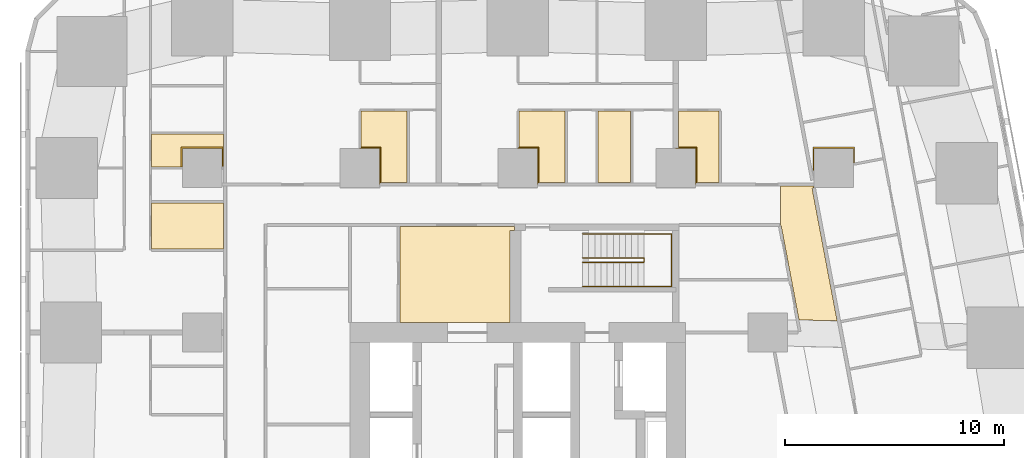
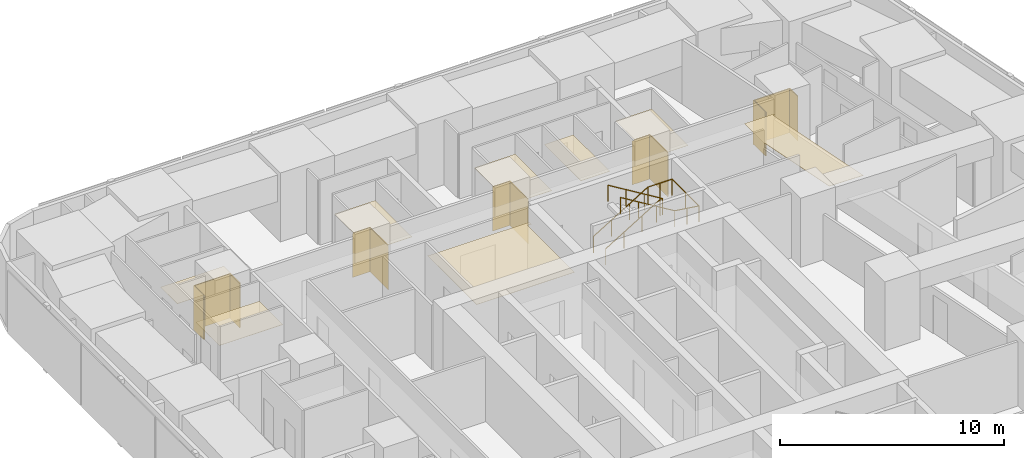
# One storey, part 16 of 16: 13 coverings, 2 railings.
"""IFC4 building model written with IfcOpenShell, lengths in metres."""

import ifcopenshell
import ifcopenshell.guid

model = None  # the IFC model being written
_history = None  # IfcOwnerHistory: only IFC2X3 demands one
_inside = {}  # id of a spatial element -> (the spatial element, [elements in it])
_under = {}  # id of a project, library or spatial element -> (it, [spatial elements below it])
_declared = {}  # id of a project -> (the project, [libraries it declares])
_typed = {}  # id of a type object -> (the type object, [elements of that type])
_made_of = {}  # id of a material, layer set ... -> (it, [elements and type objects made of it])


def new_model(schema):
    """Start an empty IFC model of exactly this schema.

    Asked for "IFC4X3", IfcOpenShell would pick the latest addendum, in which some entities
    have other attributes; the version numbers below select the first issue.
    IFC2X3 requires an IfcOwnerHistory on every rooted entity: one is made here for all.
    """
    global model, _history
    if schema == "IFC4X3":
        model = ifcopenshell.file(schema_version=(4, 3, 0, 0))
    else:
        model = ifcopenshell.file(schema=schema)
    _inside.clear()
    _under.clear()
    _declared.clear()
    _typed.clear()
    _made_of.clear()
    _history = None
    if model.schema == "IFC2X3":
        org = make("IfcOrganization", Name="unknown")
        user = make(
            "IfcPersonAndOrganization",
            ThePerson=make("IfcPerson", FamilyName="unknown"),
            TheOrganization=org,
        )
        app = make(
            "IfcApplication",
            ApplicationDeveloper=org,
            Version="unknown",
            ApplicationFullName="unknown",
            ApplicationIdentifier="unknown",
        )
        _history = make(
            "IfcOwnerHistory",
            OwningUser=user,
            OwningApplication=app,
            ChangeAction="ADDED",
            CreationDate=0,
        )
    return model


def make(cls, **values):
    """One entity of the class cls with the attributes given. An attribute that is None is left unset."""
    return model.create_entity(
        cls, **{name: value for name, value in values.items() if value is not None}
    )


def rooted(cls, **values):
    """An entity with a GlobalId (a new one), such as an element, a storey or a relation."""
    return make(cls, GlobalId=ifcopenshell.guid.new(), OwnerHistory=_history, **values)


def si_unit(unit_type, name, prefix=None):
    """IfcSIUnit, for example si_unit("LENGTHUNIT", "METRE", prefix="MILLI")."""
    return make("IfcSIUnit", UnitType=unit_type, Prefix=prefix, Name=name)


def assignment(units):
    """IfcUnitAssignment: the units of a project."""
    return None if units is None else make("IfcUnitAssignment", Units=units)


def point(xyz):
    """IfcCartesianPoint."""
    return None if xyz is None else make("IfcCartesianPoint", Coordinates=xyz)


def direction(xyz):
    """IfcDirection."""
    return None if xyz is None else make("IfcDirection", DirectionRatios=xyz)


def frame(location, z_axis=None, x_axis=None):
    """IfcAxis2Placement3D, a coordinate frame: its origin and axes. An axis left out is left unset."""
    return make(
        "IfcAxis2Placement3D",
        Location=point(location),
        Axis=direction(z_axis),
        RefDirection=direction(x_axis),
    )


def frame_2d(location, x_axis=None):
    """IfcAxis2Placement2D, a coordinate frame in the plane: its origin and x axis."""
    return make(
        "IfcAxis2Placement2D", Location=point(location), RefDirection=direction(x_axis)
    )


def origin():
    """The frame at (0, 0, 0) with its axes left unset."""
    return frame((0.0, 0.0, 0.0))


def origin_2d():
    """The frame at (0, 0) in the plane with its x axis left unset."""
    return frame_2d((0.0, 0.0))


def place(relative_to, where):
    """IfcLocalPlacement: puts the frame where relative to a parent placement (None: the world)."""
    return make(
        "IfcLocalPlacement", PlacementRelTo=relative_to, RelativePlacement=where
    )


def context(
    kind, dimensions, precision=None, world=None, true_north=None, identifier=None
):
    """IfcGeometricRepresentationContext, for example the 3D "Model" context."""
    return make(
        "IfcGeometricRepresentationContext",
        ContextIdentifier=identifier,
        ContextType=kind,
        CoordinateSpaceDimension=dimensions,
        Precision=precision,
        WorldCoordinateSystem=world,
        TrueNorth=true_north,
    )


def subcontext(parent, identifier, kind, view, scale=None):
    """IfcGeometricRepresentationSubContext, for example "Body" below "Model"."""
    return make(
        "IfcGeometricRepresentationSubContext",
        ContextIdentifier=identifier,
        ContextType=kind,
        ParentContext=parent,
        TargetScale=scale,
        TargetView=view,
    )


def project(units=None, contexts=None):
    """IfcProject with its units and contexts."""
    return rooted(
        "IfcProject",
        Name="project",
        RepresentationContexts=contexts,
        UnitsInContext=assignment(units),
    )


def spatial(cls, under=None, at=None, **own):
    """A site, building, storey or space (cls), placed at a placement, below another one or the project."""
    s = rooted(cls, ObjectPlacement=at, **own)
    if under is not None:
        _under.setdefault(under.id(), (under, []))[1].append(s)
    return s


def polyline(points):
    """IfcPolyline through the points."""
    return make("IfcPolyline", Points=[point(p) for p in points])


def profile(cls, at=None, kind="AREA", **sizes):
    """A parametric profile (cls). Its sizes go by their IFC names, for example OverallWidth=200.0."""
    return make(cls, ProfileType=kind, Position=at, **sizes)


def circle(**sizes):
    """IfcCircleProfileDef."""
    return profile("IfcCircleProfileDef", **sizes)


def outline(outer, holes=None, kind="AREA"):
    """IfcArbitraryClosedProfileDef: a profile drawn as a closed curve; with holes, ...WithVoids."""
    if holes is None:
        return make("IfcArbitraryClosedProfileDef", ProfileType=kind, OuterCurve=outer)
    return make(
        "IfcArbitraryProfileDefWithVoids",
        ProfileType=kind,
        OuterCurve=outer,
        InnerCurves=holes,
    )


def extrude(swept, where, along, depth):
    """IfcExtrudedAreaSolid: the profile swept, set in the frame where, extruded along a direction by depth."""
    return make(
        "IfcExtrudedAreaSolid",
        SweptArea=swept,
        Position=where,
        ExtrudedDirection=direction(along),
        Depth=depth,
    )


def shape(context_of_items, identifier, shape_type, items):
    """IfcShapeRepresentation: the items that make up one representation, for example the "Body"."""
    return make(
        "IfcShapeRepresentation",
        ContextOfItems=context_of_items,
        RepresentationIdentifier=identifier,
        RepresentationType=shape_type,
        Items=items,
    )


def material(Name=None, Category=None):
    """IfcMaterial."""
    return make("IfcMaterial", Name=Name, Category=Category)


def layer(
    of_material, thickness, ventilated=None, Name=None, Category=None, Priority=None
):
    """IfcMaterialLayer: one layer of a wall or slab, of a material (None: an air gap)."""
    return make(
        "IfcMaterialLayer",
        Material=of_material,
        LayerThickness=thickness,
        IsVentilated=ventilated,
        Name=Name,
        Category=Category,
        Priority=Priority,
    )


def layer_set(layers, Name=None):
    """IfcMaterialLayerSet."""
    return make("IfcMaterialLayerSet", MaterialLayers=layers, LayerSetName=Name)


def made_of(thing, what):
    """Note that an element or type object is made of a material, layer set ...; save() writes the relation."""
    if what is not None:
        _made_of.setdefault(what.id(), (what, []))[1].append(thing)
    return thing


def type_object(cls, material=None, **own):
    """A type object (cls), such as IfcWallType, which elements share."""
    return made_of(rooted(cls, **own), material)


def element(
    cls,
    number,
    at=None,
    inside=None,
    cuts=None,
    type_object=None,
    material=None,
    context=None,
    identifier="Body",
    shape_type=None,
    held_by="IfcProductDefinitionShape",
    body=None,
    shapes=None,
    **own,
):
    """One element of the class cls, such as IfcWall. Its Tag is "e" and its number.

    at: its placement. inside: the storey or other place that contains it. cuts: it is an
    opening in that element (IfcRelVoidsElement). A single representation is given by context,
    identifier, shape_type and body (its items); several are given by shapes. held_by: the class
    of the entity that holds the representations. save() writes the other relations.
    """
    e = rooted(cls, Tag="e%d" % number, ObjectPlacement=at, **own)
    if body is not None:
        shapes = [shape(context, identifier, shape_type, body)]
    if shapes is not None:
        e.Representation = make(held_by, Representations=shapes)
    if inside is not None:
        _inside.setdefault(inside.id(), (inside, []))[1].append(e)
    if cuts is not None:
        rooted(
            "IfcRelVoidsElement", RelatingBuildingElement=cuts, RelatedOpeningElement=e
        )
    if type_object is not None:
        _typed.setdefault(type_object.id(), (type_object, []))[1].append(e)
    return made_of(e, material)


def aggregate(whole, parts):
    """IfcRelAggregates: a whole, such as a stair, and the parts it consists of."""
    return rooted("IfcRelAggregates", RelatingObject=whole, RelatedObjects=parts)


def save(model, path):
    """Write the relations noted so far, then the file.

    IfcRelAggregates (storeys below a building ...), IfcRelContainedInSpatialStructure (elements
    in a storey), IfcRelDefinesByType, IfcRelAssociatesMaterial and IfcRelDeclares: one each for
    every whole, place, type object, material and project.
    """
    for whole, parts in _under.values():
        aggregate(whole, parts)
    for where, things in _inside.values():
        rooted(
            "IfcRelContainedInSpatialStructure",
            RelatedElements=things,
            RelatingStructure=where,
        )
    for kind, things in _typed.values():
        rooted("IfcRelDefinesByType", RelatedObjects=things, RelatingType=kind)
    for what, things in _made_of.values():
        rooted("IfcRelAssociatesMaterial", RelatedObjects=things, RelatingMaterial=what)
    for by, libraries in _declared.values():
        rooted("IfcRelDeclares", RelatingContext=by, RelatedDefinitions=libraries)
    model.write(path)


model = new_model("IFC4")

# Units and contexts
model_context = context("Model", 3, precision=1e-05, world=origin(), true_north=direction((0.0, 1.0)))
body_context = subcontext(model_context, "Body", "Model", "MODEL_VIEW")
ifc_project = project(units=[si_unit("LENGTHUNIT", "METRE"), si_unit("AREAUNIT", "SQUARE_METRE"), si_unit("VOLUMEUNIT", "CUBIC_METRE"), si_unit("PLANEANGLEUNIT", "RADIAN"), si_unit("MASSUNIT", "GRAM", prefix="KILO")], contexts=[model_context])

# Site, building, storey
site_placement = place(None, origin())
site = spatial("IfcSite", under=ifc_project, at=site_placement, CompositionType="ELEMENT")
building_placement = place(site_placement, origin())
building = spatial("IfcBuilding", under=site, at=building_placement, Name="Sheger Commons Tower", CompositionType="ELEMENT")
storey_placement = place(building_placement, frame((0.0, 0.0, 57.5)))
storey = spatial("IfcBuildingStorey", under=building, at=storey_placement, Name="L14", CompositionType="ELEMENT", Elevation=57.5)

# Railings
ifc_material_1 = material(Name="Steel handrail, black powder-coated", Category="steel")
railing_type = type_object("IfcRailingType", Name="HANDRAIL 900", PredefinedType="HANDRAIL", material=ifc_material_1)
railing_1_placement = place(storey_placement, frame((24.550048828125, 33.39990234375, 0.17041015625)))
element("IfcRailing", 1, at=railing_1_placement, inside=storey, type_object=railing_type, Name="Stair S2 handrail L14", PredefinedType="HANDRAIL", context=body_context, shape_type="SweptSolid", body=[
    extrude(circle(Radius=0.02392578125, at=origin_2d()), frame((0.0, 0.0, 0.8759765625), z_axis=(0.854169791009, 0.0, 0.51999420009), x_axis=(0.0, 1.0, 0.0)), (0.0, 0.0, 1.0), 3.278076171875),
    extrude(circle(Radius=0.02392578125, at=origin_2d()), frame((2.800048828125, 0.0, 2.58056640625), z_axis=(0.0, -0.761090297175, 0.648645943136), x_axis=(1.0, 0.0, 0.0)), (0.0, 0.0, 1.0), 0.2626953125),
    extrude(circle(Radius=0.02392578125, at=origin_2d()), frame((2.800048828125, -0.199951171875, 2.7509765625), z_axis=(-0.854169791009, 0.0, 0.51999420009), x_axis=(0.0, -1.0, 0.0)), (0.0, 0.0, 1.0), 3.278076171875),
    extrude(circle(Radius=0.02099609375, at=origin_2d()), origin(), (0.0, 0.0, 1.0), 0.851806640625),
    extrude(circle(Radius=0.02099609375, at=origin_2d()), frame((0.933349609375, 0.0, 0.568115234375)), (0.0, 0.0, 1.0), 0.851806640625),
    extrude(circle(Radius=0.02099609375, at=origin_2d()), frame((1.86669921875, 0.0, 1.136474609375)), (0.0, 0.0, 1.0), 0.851806640625),
    extrude(circle(Radius=0.02099609375, at=origin_2d()), frame((2.800048828125, 0.0, 1.70458984375)), (0.0, 0.0, 1.0), 0.851806640625),
    extrude(circle(Radius=0.02099609375, at=origin_2d()), frame((2.800048828125, -0.199951171875, 1.875)), (0.0, 0.0, 1.0), 0.851806640625),
    extrude(circle(Radius=0.02099609375, at=origin_2d()), frame((1.86669921875, -0.199951171875, 2.443115234375)), (0.0, 0.0, 1.0), 0.851806640625),
    extrude(circle(Radius=0.02099609375, at=origin_2d()), frame((0.933349609375, -0.199951171875, 3.011474609375)), (0.0, 0.0, 1.0), 0.851806640625),
    extrude(circle(Radius=0.02099609375, at=origin_2d()), frame((0.0, -0.199951171875, 3.57958984375)), (0.0, 0.0, 1.0), 0.851806640625),
])
railing_2_placement = place(storey_placement, frame((24.550048828125, 34.5, 0.17041015625)))
element("IfcRailing", 2, at=railing_2_placement, inside=storey, type_object=railing_type, Name="Stair S2 handrail L14", PredefinedType="HANDRAIL", context=body_context, shape_type="SweptSolid", body=[
    extrude(circle(Radius=0.02392578125, at=origin_2d()), frame((0.0, 0.0, 0.8759765625), z_axis=(0.854169791009, 0.0, 0.51999420009), x_axis=(0.0, 1.0, 0.0)), (0.0, 0.0, 1.0), 3.278076171875),
    extrude(circle(Radius=0.02392578125, at=origin_2d()), frame((2.800048828125, 0.0, 2.58056640625), z_axis=(1.0, 0.0, 0.0), x_axis=(0.0, 1.0, 0.0)), (0.0, 0.0, 1.0), 1.25),
    extrude(circle(Radius=0.02392578125, at=origin_2d()), frame((4.050048828125, 0.0, 2.58056640625), z_axis=(0.0, -1.0, 0.0), x_axis=(1.0, 0.0, 0.0)), (0.0, 0.0, 1.0), 2.39990234375),
    extrude(circle(Radius=0.02392578125, at=origin_2d()), frame((4.050048828125, -2.39990234375, 2.58056640625), z_axis=(-0.990834877927, 0.0, 0.135078661092), x_axis=(0.0, -1.0, 0.0)), (0.0, 0.0, 1.0), 1.261474609375),
    extrude(circle(Radius=0.02392578125, at=origin_2d()), frame((2.800048828125, -2.39990234375, 2.7509765625), z_axis=(-0.854169791009, 0.0, 0.51999420009), x_axis=(0.0, -1.0, 0.0)), (0.0, 0.0, 1.0), 3.278076171875),
    extrude(circle(Radius=0.02099609375, at=origin_2d()), origin(), (0.0, 0.0, 1.0), 0.851806640625),
    extrude(circle(Radius=0.02099609375, at=origin_2d()), frame((0.933349609375, 0.0, 0.568115234375)), (0.0, 0.0, 1.0), 0.851806640625),
    extrude(circle(Radius=0.02099609375, at=origin_2d()), frame((1.86669921875, 0.0, 1.136474609375)), (0.0, 0.0, 1.0), 0.851806640625),
    extrude(circle(Radius=0.02099609375, at=origin_2d()), frame((2.800048828125, 0.0, 1.70458984375)), (0.0, 0.0, 1.0), 0.851806640625),
    extrude(circle(Radius=0.02099609375, at=origin_2d()), frame((3.425048828125, 0.0, 1.70458984375)), (0.0, 0.0, 1.0), 0.851806640625),
    extrude(circle(Radius=0.02099609375, at=origin_2d()), frame((4.050048828125, 0.0, 1.70458984375)), (0.0, 0.0, 1.0), 0.851806640625),
    extrude(circle(Radius=0.02099609375, at=origin_2d()), frame((4.050048828125, -1.199951171875, 1.70458984375)), (0.0, 0.0, 1.0), 0.851806640625),
    extrude(circle(Radius=0.02099609375, at=origin_2d()), frame((4.050048828125, -2.39990234375, 1.70458984375)), (0.0, 0.0, 1.0), 0.851806640625),
    extrude(circle(Radius=0.02099609375, at=origin_2d()), frame((3.425048828125, -2.39990234375, 1.789794921875)), (0.0, 0.0, 1.0), 0.851806640625),
    extrude(circle(Radius=0.02099609375, at=origin_2d()), frame((2.800048828125, -2.39990234375, 1.875)), (0.0, 0.0, 1.0), 0.851806640625),
    extrude(circle(Radius=0.02099609375, at=origin_2d()), frame((1.86669921875, -2.39990234375, 2.443115234375)), (0.0, 0.0, 1.0), 0.851806640625),
    extrude(circle(Radius=0.02099609375, at=origin_2d()), frame((0.933349609375, -2.39990234375, 3.011474609375)), (0.0, 0.0, 1.0), 0.851806640625),
    extrude(circle(Radius=0.02099609375, at=origin_2d()), frame((0.0, -2.39990234375, 3.57958984375)), (0.0, 0.0, 1.0), 0.851806640625),
])

# Coverings
ifc_material_2 = material(Name="Moisture-resistant gypsum plasterboard 15 mm on a suspended galvanised steel grid", Category="steel")
ifc_layer_1 = layer(ifc_material_2, 0.014892578125)
ifc_layer_set_1 = layer_set([ifc_layer_1], Name="MOISTURE-RESISTANT CEILING 15")
covering_type_1 = type_object("IfcCoveringType", Name="MOISTURE-RESISTANT CEILING 15", PredefinedType="CEILING", material=ifc_layer_set_1)
covering_1_placement = place(storey_placement, frame((0.0, 0.0, 2.39990234375)))
element("IfcCovering", 3, at=covering_1_placement, inside=storey, type_object=covering_type_1, Name="L14-04.B1 ceiling", PredefinedType="CEILING", context=body_context, shape_type="SweptSolid", body=[
    extrude(outline(polyline([(4.905029296875, 33.804931640625), (8.169921875, 33.804931640625), (8.169921875, 35.905029296875), (4.905029296875, 35.905029296875), (4.905029296875, 33.804931640625)])), origin(), (0.0, 0.0, 1.0), 0.01513671875),
])
covering_2_placement = place(storey_placement, frame((0.0, 0.0, 2.39990234375)))
element("IfcCovering", 4, at=covering_2_placement, inside=storey, type_object=covering_type_1, Name="L14-04.B2 ceiling", PredefinedType="CEILING", context=body_context, shape_type="SweptSolid", body=[
    extrude(outline(polyline([(4.905029296875, 37.554931640625), (6.294921875, 37.554931640625), (6.294921875, 38.405029296875), (8.10498046875, 38.405029296875), (8.10498046875, 37.554931640625), (8.169921875, 37.554931640625), (8.169921875, 39.044921875), (4.905029296875, 39.044921875), (4.905029296875, 37.554931640625)])), origin(), (0.0, 0.0, 1.0), 0.01513671875),
])
covering_3_placement = place(storey_placement, frame((0.0, 0.0, 2.39990234375)))
element("IfcCovering", 5, at=covering_3_placement, inside=storey, type_object=covering_type_1, Name="L14-12.B1 ceiling", PredefinedType="CEILING", context=body_context, shape_type="SweptSolid", body=[
    extrude(outline(polyline([(15.304931640625, 36.830078125), (16.554931640625, 36.830078125), (16.554931640625, 40.094970703125), (14.455078125, 40.094970703125), (14.455078125, 38.405029296875), (15.304931640625, 38.405029296875), (15.304931640625, 36.830078125)])), origin(), (0.0, 0.0, 1.0), 0.01513671875),
])
covering_4_placement = place(storey_placement, frame((0.0, 0.0, 2.39990234375)))
element("IfcCovering", 6, at=covering_4_placement, inside=storey, type_object=covering_type_1, Name="L14-13.B1 ceiling", PredefinedType="CEILING", context=body_context, shape_type="SweptSolid", body=[
    extrude(outline(polyline([(22.5048828125, 36.830078125), (23.7548828125, 36.830078125), (23.7548828125, 40.094970703125), (21.655029296875, 40.094970703125), (21.655029296875, 38.405029296875), (22.5048828125, 38.405029296875), (22.5048828125, 36.830078125)])), origin(), (0.0, 0.0, 1.0), 0.01513671875),
])
covering_5_placement = place(storey_placement, frame((0.0, 0.0, 2.39990234375)))
element("IfcCovering", 7, at=covering_5_placement, inside=storey, type_object=covering_type_1, Name="L14-13.B2 ceiling", PredefinedType="CEILING", context=body_context, shape_type="SweptSolid", body=[
    extrude(outline(polyline([(25.2548828125, 36.830078125), (26.7451171875, 36.830078125), (26.7451171875, 40.094970703125), (25.2548828125, 40.094970703125), (25.2548828125, 36.830078125)])), origin(), (0.0, 0.0, 1.0), 0.01513671875),
])
covering_6_placement = place(storey_placement, frame((0.0, 0.0, 2.39990234375)))
element("IfcCovering", 8, at=covering_6_placement, inside=storey, type_object=covering_type_1, Name="L14-14.B1 ceiling", PredefinedType="CEILING", context=body_context, shape_type="SweptSolid", body=[
    extrude(outline(polyline([(29.705078125, 36.830078125), (30.77392578125, 36.830078125), (30.77392578125, 40.094970703125), (28.929931640625, 40.094970703125), (28.929931640625, 38.405029296875), (29.705078125, 38.405029296875), (29.705078125, 36.830078125)])), origin(), (0.0, 0.0, 1.0), 0.01513671875),
])
ifc_material_3 = material(Name="Gypsum plasterboard 15 mm on a suspended steel grid", Category="steel")
ifc_layer_2 = layer(ifc_material_3, 0.014892578125)
ifc_layer_set_2 = layer_set([ifc_layer_2], Name="SUSPENDED CEILING 15")
covering_type_2 = type_object("IfcCoveringType", Name="SUSPENDED CEILING 15", PredefinedType="CEILING", material=ifc_layer_set_2)
covering_7_placement = place(storey_placement, frame((0.0, 0.0, 2.699951171875)))
element("IfcCovering", 9, at=covering_7_placement, inside=storey, type_object=covering_type_2, Name="L14-CO ceiling", PredefinedType="CEILING", context=body_context, shape_type="SweptSolid", body=[
    extrude(outline(polyline([(36.155029296875, 30.533935546875), (35.013916015625, 36.574951171875), (35.092041015625, 36.590087890625), (35.076904296875, 36.669921875), (33.572998046875, 36.669921875), (33.572998046875, 34.947998046875), (33.571044921875, 34.947998046875), (33.589111328125, 34.85205078125), (33.60595703125, 34.85498046875), (34.416015625, 30.572998046875), (36.155029296875, 30.533935546875)])), origin(), (0.0, 0.0, 1.0), 0.01513671875),
])
covering_8_placement = place(storey_placement, frame((0.0, 0.0, 2.699951171875)))
element("IfcCovering", 10, at=covering_8_placement, inside=storey, type_object=covering_type_2, Name="L14-SVN1 ceiling", PredefinedType="CEILING", context=body_context, shape_type="SweptSolid", body=[
    extrude(outline(polyline([(16.217041015625, 30.455078125), (21.2451171875, 30.455078125), (21.2451171875, 34.655029296875), (21.445068359375, 34.655029296875), (21.445068359375, 34.83203125), (16.217041015625, 34.83203125), (16.217041015625, 30.455078125)])), origin(), (0.0, 0.0, 1.0), 0.01513671875),
])
ifc_material_4 = material(Name="Moisture-resistant gypsum board 12.5 mm on 25 mm treated timber battens, tanked and tiled", Category="wood")
ifc_layer_3 = layer(ifc_material_4, 0.050048828125)
ifc_layer_set_3 = layer_set([ifc_layer_3], Name="WET-ROOM COLUMN LINING")
covering_type_3 = type_object("IfcCoveringType", Name="WET-ROOM COLUMN LINING", PredefinedType="CLADDING", material=ifc_layer_set_3)
covering_9_placement = place(storey_placement, origin())
element("IfcCovering", 11, at=covering_9_placement, inside=storey, type_object=covering_type_3, Name="Shower room column lining C8 L14", PredefinedType="CLADDING", context=body_context, shape_type="SweptSolid", body=[
    extrude(outline(polyline([(8.14990234375, 38.449951171875), (8.14990234375, 37.550048828125), (8.10107421875, 37.550048828125), (8.10107421875, 37.5), (8.10009765625, 37.5), (8.10009765625, 38.39990234375), (6.300048828125, 38.39990234375), (6.300048828125, 37.5), (6.299072265625, 37.5), (6.299072265625, 37.550048828125), (6.25, 37.550048828125), (6.25, 38.449951171875), (8.14990234375, 38.449951171875)])), origin(), (0.0, 0.0, 1.0), 2.39990234375),
])
covering_10_placement = place(storey_placement, origin())
element("IfcCovering", 12, at=covering_10_placement, inside=storey, type_object=covering_type_3, Name="Bathroom column lining C8 L14", PredefinedType="CLADDING", context=body_context, shape_type="SweptSolid", body=[
    extrude(outline(polyline([(15.35009765625, 36.824951171875), (15.301025390625, 36.824951171875), (15.301025390625, 36.75), (15.300048828125, 36.75), (15.300048828125, 38.39990234375), (14.39990234375, 38.39990234375), (14.39990234375, 38.40087890625), (14.449951171875, 38.40087890625), (14.449951171875, 38.449951171875), (15.35009765625, 38.449951171875), (15.35009765625, 36.824951171875)])), origin(), (0.0, 0.0, 1.0), 2.39990234375),
])
covering_11_placement = place(storey_placement, origin())
element("IfcCovering", 13, at=covering_11_placement, inside=storey, type_object=covering_type_3, Name="Bathroom column lining C8 L14", PredefinedType="CLADDING", context=body_context, shape_type="SweptSolid", body=[
    extrude(outline(polyline([(22.550048828125, 36.824951171875), (22.5009765625, 36.824951171875), (22.5009765625, 36.75), (22.5, 36.75), (22.5, 38.39990234375), (21.60009765625, 38.39990234375), (21.60009765625, 38.40087890625), (21.64990234375, 38.40087890625), (21.64990234375, 38.449951171875), (22.550048828125, 38.449951171875), (22.550048828125, 36.824951171875)])), origin(), (0.0, 0.0, 1.0), 2.39990234375),
])
covering_12_placement = place(storey_placement, origin())
element("IfcCovering", 14, at=covering_12_placement, inside=storey, type_object=covering_type_3, Name="Shower room column lining C8 L14", PredefinedType="CLADDING", context=body_context, shape_type="SweptSolid", body=[
    extrude(outline(polyline([(29.75, 36.824951171875), (29.700927734375, 36.824951171875), (29.700927734375, 36.75), (29.699951171875, 36.75), (29.699951171875, 38.39990234375), (28.800048828125, 38.39990234375), (28.800048828125, 38.40087890625), (28.925048828125, 38.40087890625), (28.925048828125, 38.449951171875), (29.75, 38.449951171875), (29.75, 36.824951171875)])), origin(), (0.0, 0.0, 1.0), 2.39990234375),
])
covering_13_placement = place(storey_placement, origin())
element("IfcCovering", 15, at=covering_13_placement, inside=storey, type_object=covering_type_3, Name="Laundry room column lining C8 L14", PredefinedType="CLADDING", context=body_context, shape_type="SweptSolid", body=[
    extrude(outline(polyline([(36.949951171875, 38.449951171875), (36.949951171875, 37.72998046875), (36.90087890625, 37.720947265625), (36.909912109375, 37.672119140625), (36.89990234375, 37.669921875), (36.89990234375, 38.39990234375), (35.10009765625, 38.39990234375), (35.10009765625, 37.330078125), (35.090087890625, 37.327880859375), (35.0810546875, 37.376953125), (35.050048828125, 37.37109375), (35.050048828125, 38.449951171875), (36.949951171875, 38.449951171875)])), origin(), (0.0, 0.0, 1.0), 2.39990234375),
])

save(model, "model.ifc")
